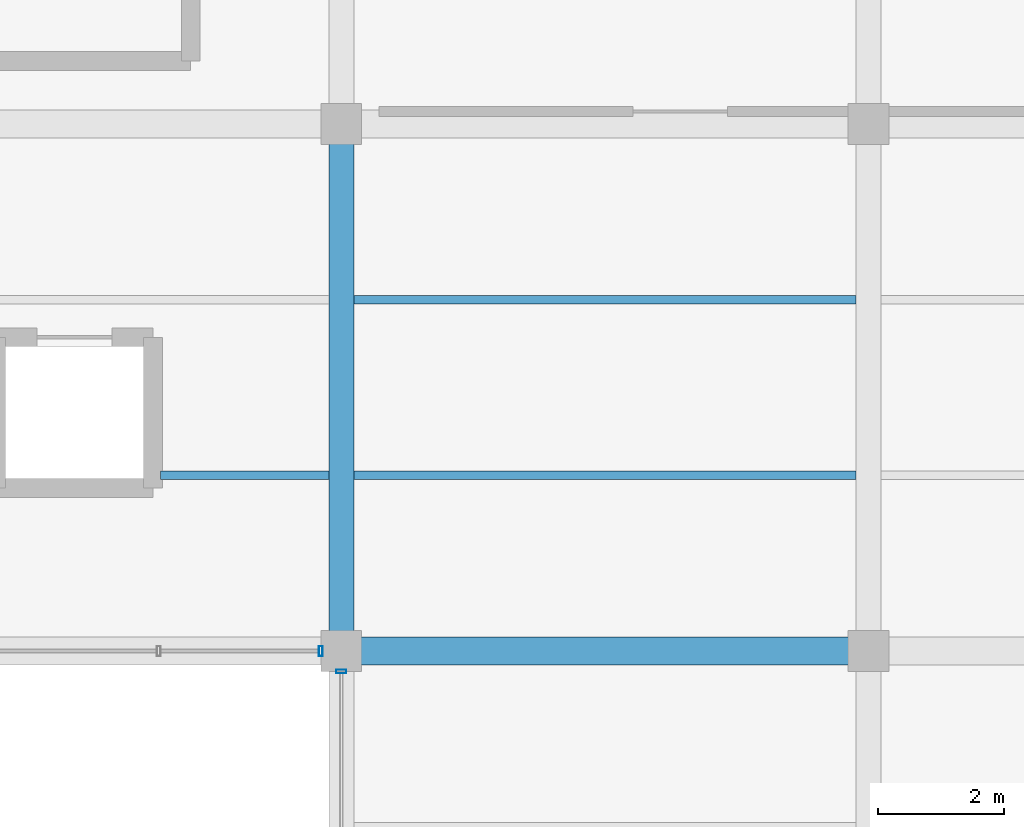
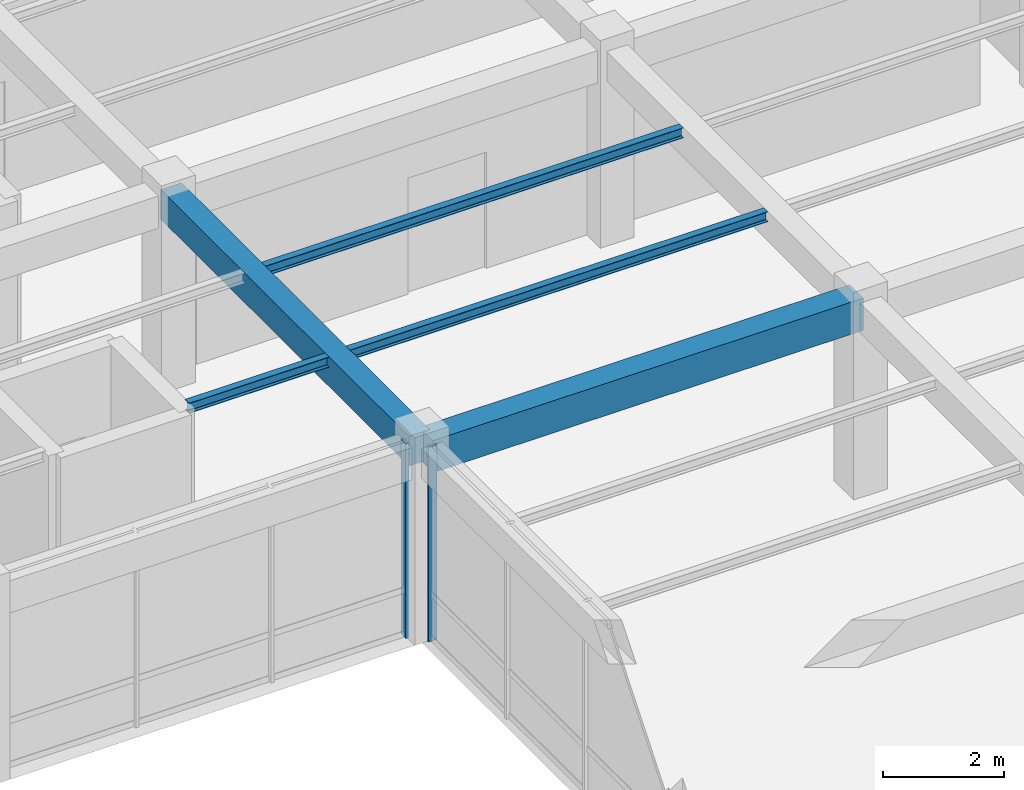
# One storey, part 23 of 138: 5 beams, 2 members, 2 elements without a shape of their own.
"""IFC4 building model written with IfcOpenShell, lengths in metres."""

from ifc_helpers import new_model, si_unit, direction, frame, origin, origin_2d, place, context, subcontext, project, spatial, rectangle, hollow_rectangle, i_section, extrude, material, material_profile, profile_set, type_object, element, aggregate, save


model = new_model("IFC4")

# Units and contexts
model_context = context("Model", 3, precision=1e-05, world=origin(), true_north=direction((0.0, 1.0)))
body_context = subcontext(model_context, "Body", "Model", "MODEL_VIEW")
ifc_project = project(units=[si_unit("LENGTHUNIT", "METRE"), si_unit("AREAUNIT", "SQUARE_METRE"), si_unit("VOLUMEUNIT", "CUBIC_METRE"), si_unit("PLANEANGLEUNIT", "RADIAN"), si_unit("MASSUNIT", "GRAM", prefix="KILO"), si_unit("THERMODYNAMICTEMPERATUREUNIT", "KELVIN"), si_unit("POWERUNIT", "WATT")], contexts=[model_context])

# Site, building, storey
site_placement = place(None, origin())
site = spatial("IfcSite", under=ifc_project, at=site_placement, CompositionType="ELEMENT")
building_placement = place(site_placement, origin())
building = spatial("IfcBuilding", under=site, at=building_placement, Name="Darbajah Civic Hall", CompositionType="ELEMENT")
storey_placement = place(building_placement, frame((0.0, 0.0, 9.60009765625)))
storey = spatial("IfcBuildingStorey", under=building, at=storey_placement, Name="L02", CompositionType="ELEMENT", Elevation=9.60009765625)

# Curtain wall, member
ifc_material_1 = material(Name="Anodised Bronze Aluminium and Low-E Glazing", Category="aluminium")
curtain_wall_type = type_object("IfcCurtainWallType", Name="Unitised Curtain Wall CW-99 7700x3950", PredefinedType="USERDEFINED", material=ifc_material_1)
curtain_wall_1_placement = place(storey_placement, origin())
curtain_wall_1 = element("IfcCurtainWall", 1, at=curtain_wall_1_placement, inside=storey, type_object=curtain_wall_type, Name="L02 unitised curtain wall CW-V5-L02-S2-B3", ObjectType="UNITISED CURTAIN WALL", PredefinedType="USERDEFINED")
ifc_material_2 = material(Name="Anodised Bronze Aluminium", Category="aluminium")
ifc_material_profile_1 = material_profile(ifc_material_2, hollow_rectangle(XDim=0.06005859375, YDim=0.159912109375, WallThickness=0.00341796875, at=origin_2d()), Name="ALU MULLION 60x160")
ifc_profile_set_1 = profile_set([ifc_material_profile_1], Name="Anodised Bronze Aluminium")
member_type = type_object("IfcMemberType", Name="ALU MULLION 60x160", PredefinedType="MULLION", material=ifc_profile_set_1)
member_1_placement = place(storey_placement, frame((50.072998046875, 16.800048828125, 0.0), z_axis=(0.0, 0.0, 1.0), x_axis=(1.0, 0.0, 0.0)))
member_1 = element("IfcMember", 2, at=member_1_placement, type_object=member_type, Name="CW-V5-L02-S2-B3 mullion 4", PredefinedType="MULLION", context=body_context, shape_type="SweptSolid", body=[
    extrude(hollow_rectangle(XDim=0.06005859375, YDim=0.159912109375, WallThickness=0.00341796875, at=origin_2d()), origin(), (0.0, 0.0, 1.0), 3.93994140625),
])
aggregate(curtain_wall_1, [member_1])

curtain_wall_2_placement = place(storey_placement, origin())
curtain_wall_2 = element("IfcCurtainWall", 3, at=curtain_wall_2_placement, inside=storey, type_object=curtain_wall_type, Name="L02 unitised curtain wall CW-V5-L02-S3-B0", ObjectType="UNITISED CURTAIN WALL", PredefinedType="USERDEFINED")
member_2_placement = place(storey_placement, frame((50.39990234375, 16.472900390625, 0.0), z_axis=(0.0, 0.0, 1.0), x_axis=(0.0, -1.0, 0.0)))
member_2 = element("IfcMember", 4, at=member_2_placement, type_object=member_type, Name="CW-V5-L02-S3-B0 mullion 1", PredefinedType="MULLION", context=body_context, shape_type="SweptSolid", body=[
    extrude(hollow_rectangle(XDim=0.06005859375, YDim=0.159912109375, WallThickness=0.00341796875, at=origin_2d()), origin(), (0.0, 0.0, 1.0), 3.93994140625),
])
aggregate(curtain_wall_2, [member_2])

# Beams
ifc_material_3 = material(Name="Concrete C45/55", Category="concrete")
ifc_material_profile_2 = material_profile(ifc_material_3, rectangle(XDim=0.39990234375, YDim=0.60009765625, at=origin_2d()), Name="RC BEAM 400x600")
ifc_profile_set_2 = profile_set([ifc_material_profile_2], Name="Concrete C45/55")
beam_type_1 = type_object("IfcBeamType", Name="RC BEAM 400x600", PredefinedType="BEAM", material=ifc_profile_set_2)
beam_1_placement = place(storey_placement, frame((50.39990234375, 16.8798828125, 3.639892578125), z_axis=(0.0, 1.0, 0.0), x_axis=(-1.0, 0.0, 0.0)))
element("IfcBeam", 5, at=beam_1_placement, inside=storey, type_object=beam_type_1, Name="L02 beam BM-4060", PredefinedType="BEAM", context=body_context, shape_type="SweptSolid", body=[
    extrude(rectangle(XDim=0.39990234375, YDim=0.60009765625, at=origin_2d()), origin(), (0.0, 0.0, 1.0), 8.240234375),
])
ifc_material_profile_3 = material_profile(ifc_material_3, rectangle(XDim=0.449951171875, YDim=0.64990234375, at=origin_2d()), Name="RC BEAM 450x650")
ifc_profile_set_3 = profile_set([ifc_material_profile_3], Name="Concrete C45/55")
beam_type_2 = type_object("IfcBeamType", Name="RC BEAM 450x650", PredefinedType="BEAM", material=ifc_profile_set_3)
beam_2_placement = place(storey_placement, frame((50.47998046875, 16.800048828125, 3.614990234375), z_axis=(1.0, 0.0, 0.0), x_axis=(0.0, 1.0, 0.0)))
element("IfcBeam", 6, at=beam_2_placement, inside=storey, type_object=beam_type_2, Name="L02 beam BM-4565", PredefinedType="BEAM", context=body_context, shape_type="SweptSolid", body=[
    extrude(rectangle(XDim=0.449951171875, YDim=0.64990234375, at=origin_2d()), origin(), (0.0, 0.0, 1.0), 8.239990234375),
])
ifc_material_4 = material(Name="Steel S355JR", Category="steel")
ifc_material_profile_4 = material_profile(ifc_material_4, i_section(OverallWidth=0.1337890625, OverallDepth=0.206787109375, WebThickness=0.00634765625, FlangeThickness=0.009521484375, FilletRadius=0.007568359375, at=origin_2d()), Name="UB 203x133x30")
ifc_profile_set_4 = profile_set([ifc_material_profile_4], Name="Steel S355JR")
beam_type_3 = type_object("IfcBeamType", Name="UB 203x133x30", PredefinedType="JOIST", material=ifc_profile_set_4)
beam_3_placement = place(storey_placement, frame((47.52001953125, 19.60009765625, 3.83642578125), z_axis=(1.0, 0.0, 0.0), x_axis=(0.0, 1.0, 0.0)))
element("IfcBeam", 7, at=beam_3_placement, inside=storey, type_object=beam_type_3, Name="L02 beam SJ-203", PredefinedType="JOIST", context=body_context, shape_type="SweptSolid", body=[
    extrude(i_section(OverallWidth=0.1337890625, OverallDepth=0.206787109375, WebThickness=0.00634765625, FlangeThickness=0.009521484375, FilletRadius=0.007568359375, at=origin_2d()), origin(), (0.0, 0.0, 1.0), 2.679931640625),
])
for number, where, z_axis, x_axis, name in (
    (8, (50.60009765625, 19.60009765625, 3.83642578125), (1.0, 0.0, 0.0), (0.0, 1.0, 0.0), "L02 beam SJ-203"),
    (9, (50.60009765625, 22.39990234375, 3.83642578125), (1.0, 0.0, 0.0), (0.0, 1.0, 0.0), "L02 beam SJ-203"),
):
    element("IfcBeam", number, at=place(storey_placement, frame(where, z_axis=z_axis, x_axis=x_axis)), inside=storey, type_object=beam_type_3, Name=name, PredefinedType="JOIST", context=body_context, shape_type="SweptSolid", body=[
        extrude(i_section(OverallWidth=0.1337890625, OverallDepth=0.206787109375, WebThickness=0.00634765625, FlangeThickness=0.009521484375, FilletRadius=0.007568359375, at=origin_2d()), origin(), (0.0, 0.0, 1.0), 8.0),
    ])

save(model, "model.ifc")
